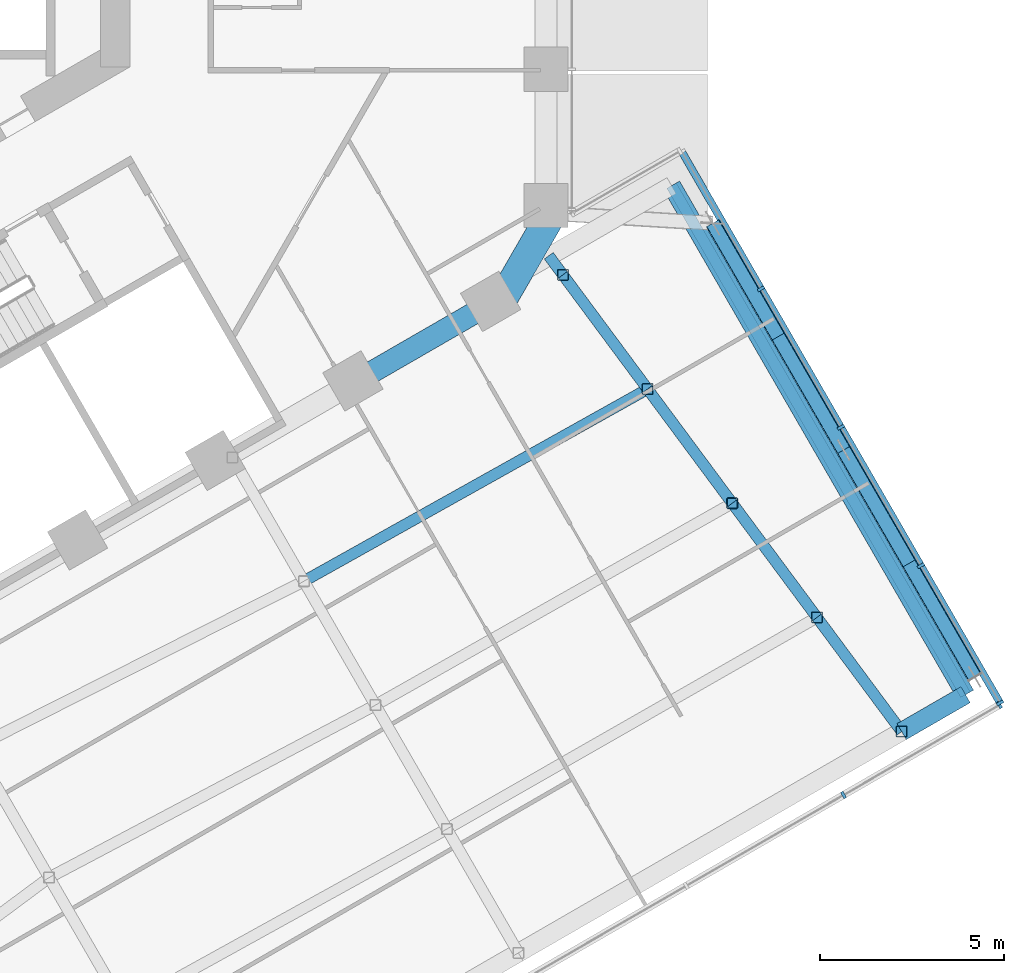
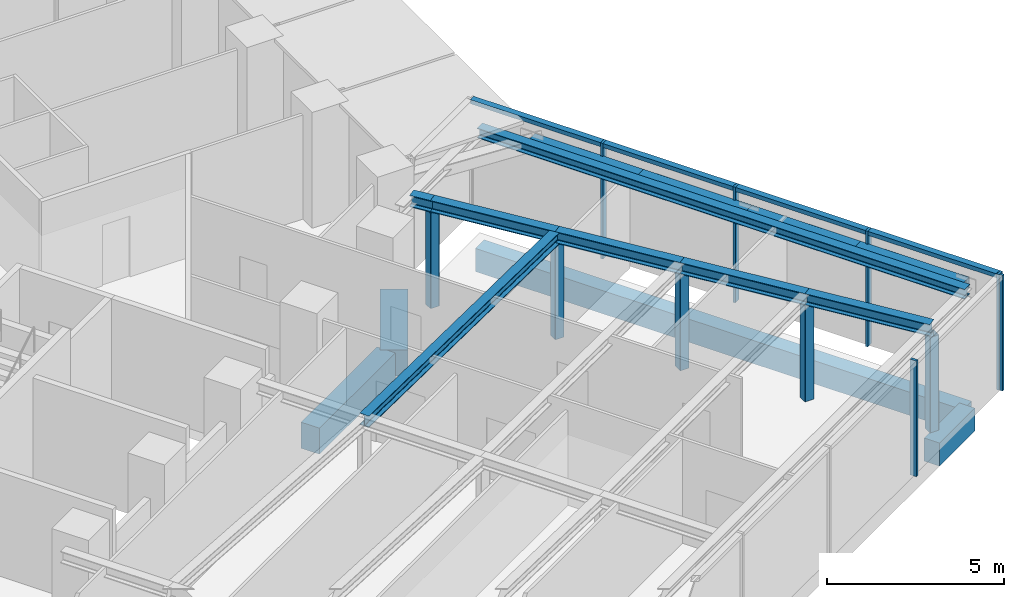
# One storey, part 5 of 28: 16 members, 11 beams, 2 elements without a shape of their own.
"""IFC4 building model written with IfcOpenShell, lengths in metres."""

from ifc_helpers import new_model, si_unit, direction, frame, origin, origin_2d, place, context, subcontext, project, spatial, rectangle, hollow_rectangle, i_section, extrude, material, layer, layer_set, material_profile, profile_set, type_object, element, aggregate, save


model = new_model("IFC4")

# Units and contexts
model_context = context("Model", 3, precision=1e-05, world=origin(), true_north=direction((0.0, 1.0)))
body_context = subcontext(model_context, "Body", "Model", "MODEL_VIEW")
ifc_project = project(units=[si_unit("LENGTHUNIT", "METRE"), si_unit("AREAUNIT", "SQUARE_METRE"), si_unit("VOLUMEUNIT", "CUBIC_METRE"), si_unit("PLANEANGLEUNIT", "RADIAN"), si_unit("MASSUNIT", "GRAM", prefix="KILO")], contexts=[model_context])

# Site, building, storey
site_placement = place(None, origin())
site = spatial("IfcSite", under=ifc_project, at=site_placement, CompositionType="ELEMENT")
building_placement = place(site_placement, origin())
building = spatial("IfcBuilding", under=site, at=building_placement, Name="Ayvan Gate Tower", CompositionType="ELEMENT")
storey_placement = place(building_placement, frame((0.0, 0.0, 74.300048828125)))
storey = spatial("IfcBuildingStorey", under=building, at=storey_placement, Name="L19", CompositionType="ELEMENT", Elevation=74.300048828125)

# Beams
ifc_material_1 = material(Name="Concrete C40/50", Category="concrete")
ifc_material_profile_1 = material_profile(ifc_material_1, rectangle(XDim=0.800048828125, YDim=0.89990234375, at=origin_2d()), Name="RC 800x900")
ifc_profile_set_1 = profile_set([ifc_material_profile_1], Name="Concrete C40/50")
beam_type_1 = type_object("IfcBeamType", Name="Corner spandrel beam RC 800x900 C40/50", PredefinedType="BEAM", material=ifc_profile_set_1)
beam_1_placement = place(storey_placement, frame((19.47509765625, -12.009521484375, -0.85009765625), z_axis=(0.50002537861, 0.866010750942, 0.0), x_axis=(-0.866010750942, 0.50002537861, 0.0)))
element("IfcBeam", 1, at=beam_1_placement, inside=storey, type_object=beam_type_1, Name="SB-L19-36", PredefinedType="BEAM", context=body_context, shape_type="SweptSolid", body=[
    extrude(rectangle(XDim=0.800048828125, YDim=0.89990234375, at=origin_2d()), origin(), (0.0, 0.0, 1.0), 2.999755859375),
])
ifc_material_profile_2 = material_profile(ifc_material_1, rectangle(XDim=0.5, YDim=0.800048828125, at=origin_2d()), Name="RC 500x800")
ifc_profile_set_2 = profile_set([ifc_material_profile_2], Name="Concrete C40/50")
beam_type_2 = type_object("IfcBeamType", Name="Sky bar edge beam RC 500x800 C40/50", PredefinedType="BEAM", material=ifc_profile_set_2)
beam_2_placement = place(storey_placement, frame((24.1923828125, -8.70263671875, -0.800048828125), z_axis=(0.500011928899, -0.866018516522, 0.0), x_axis=(0.866018516522, 0.500011928899, 0.0)))
element("IfcBeam", 2, at=beam_2_placement, inside=storey, type_object=beam_type_2, Name="EB-B1-L19-2", PredefinedType="BEAM", context=body_context, shape_type="SweptSolid", body=[
    extrude(rectangle(XDim=0.5, YDim=0.800048828125, at=origin_2d()), origin(), (0.0, 0.0, 1.0), 15.939453125),
])
beam_3_placement = place(storey_placement, frame((32.162353515625, -22.506591796875, -0.800048828125), z_axis=(-0.866041268327, -0.499972520799, 0.0), x_axis=(0.499972520799, -0.866041268327, 0.0)))
element("IfcBeam", 3, at=beam_3_placement, inside=storey, type_object=beam_type_2, Name="EB-B1-L19-3", PredefinedType="BEAM", context=body_context, shape_type="SweptSolid", body=[
    extrude(rectangle(XDim=0.5, YDim=0.800048828125, at=origin_2d()), origin(), (0.0, 0.0, 1.0), 2.0),
])
ifc_material_2 = material(Name="Steel S460ML", Category="steel")
ifc_material_profile_3 = material_profile(ifc_material_2, i_section(OverallWidth=0.300048828125, OverallDepth=0.39990234375, WebThickness=0.013427734375, FlangeThickness=0.02392578125, FilletRadius=0.027099609375, at=origin_2d()), Name="HE 400 B")
ifc_profile_set_3 = profile_set([ifc_material_profile_3], Name="Steel S460ML")
beam_type_3 = type_object("IfcBeamType", Name="Sky bar roof beam B1 HE 400 B", PredefinedType="BEAM", material=ifc_profile_set_3)
beam_4_placement = place(storey_placement, frame((20.860107421875, -10.603271484375, 3.5), z_axis=(0.59562617506, -0.803261762804, 0.0), x_axis=(0.803261762804, 0.59562617506, 0.0)))
element("IfcBeam", 4, at=beam_4_placement, inside=storey, type_object=beam_type_3, Name="RB-B1-SBT1-4-1", PredefinedType="BEAM", context=body_context, shape_type="SweptSolid", body=[
    extrude(i_section(OverallWidth=0.300048828125, OverallDepth=0.39990234375, WebThickness=0.013427734375, FlangeThickness=0.02392578125, FilletRadius=0.027099609375, at=origin_2d()), origin(), (0.0, 0.0, 1.0), 0.644287109375),
])
beam_5_placement = place(storey_placement, frame((21.243896484375, -11.120849609375, 3.5), z_axis=(0.595725701806, -0.803187953226, 0.0), x_axis=(0.803187953226, 0.595725701806, 0.0)))
element("IfcBeam", 5, at=beam_5_placement, inside=storey, type_object=beam_type_3, Name="RB-B1-SBT1-4-2", PredefinedType="BEAM", context=body_context, shape_type="SweptSolid", body=[
    extrude(i_section(OverallWidth=0.300048828125, OverallDepth=0.39990234375, WebThickness=0.013427734375, FlangeThickness=0.02392578125, FilletRadius=0.027099609375, at=origin_2d()), origin(), (0.0, 0.0, 1.0), 3.855224609375),
])
beam_6_placement = place(storey_placement, frame((23.54052734375, -14.21728515625, 3.5), z_axis=(0.595684845966, -0.803218254453, 0.0), x_axis=(0.803218254453, 0.595684845966, 0.0)))
element("IfcBeam", 6, at=beam_6_placement, inside=storey, type_object=beam_type_3, Name="RB-B1-SBT1-4-3", PredefinedType="BEAM", context=body_context, shape_type="SweptSolid", body=[
    extrude(i_section(OverallWidth=0.300048828125, OverallDepth=0.39990234375, WebThickness=0.013427734375, FlangeThickness=0.02392578125, FilletRadius=0.027099609375, at=origin_2d()), origin(), (0.0, 0.0, 1.0), 3.85498046875),
])
for number, where, z_axis, x_axis, name in (
    (7, (25.8369140625, -17.313720703125, 3.5), (0.595725701806, -0.803187953226, 0.0), (0.803187953226, 0.595725701806, 0.0), "RB-B1-SBT1-4-4"),
    (8, (28.133544921875, -20.41015625, 3.5), (0.595725701806, -0.803187953226, 0.0), (0.803187953226, 0.595725701806, 0.0), "RB-B1-SBT1-4-5"),
):
    element("IfcBeam", number, at=place(storey_placement, frame(where, z_axis=z_axis, x_axis=x_axis)), inside=storey, type_object=beam_type_3, Name=name, PredefinedType="BEAM", context=body_context, shape_type="SweptSolid", body=[
        extrude(i_section(OverallWidth=0.300048828125, OverallDepth=0.39990234375, WebThickness=0.013427734375, FlangeThickness=0.02392578125, FilletRadius=0.027099609375, at=origin_2d()), origin(), (0.0, 0.0, 1.0), 3.855224609375),
    ])
beam_7_placement = place(storey_placement, frame((14.2197265625, -19.429443359375, 3.5), z_axis=(0.872804861547, 0.48806933284, 0.0), x_axis=(-0.48806933284, 0.872804861547, 0.0)))
element("IfcBeam", 9, at=beam_7_placement, inside=storey, type_object=beam_type_3, Name="RX-B1-34-4", PredefinedType="BEAM", context=body_context, shape_type="SweptSolid", body=[
    extrude(i_section(OverallWidth=0.300048828125, OverallDepth=0.39990234375, WebThickness=0.013427734375, FlangeThickness=0.02392578125, FilletRadius=0.027099609375, at=origin_2d()), origin(), (0.0, 0.0, 1.0), 10.67919921875),
])
ifc_material_profile_4 = material_profile(ifc_material_2, i_section(OverallWidth=0.300048828125, OverallDepth=0.340087890625, WebThickness=0.011962890625, FlangeThickness=0.021484375, FilletRadius=0.027099609375, at=origin_2d()), Name="HE 340 B")
ifc_profile_set_4 = profile_set([ifc_material_profile_4], Name="Steel S460ML")
beam_type_4 = type_object("IfcBeamType", Name="Sky bar roof edge beam B1 HE 340 B", PredefinedType="BEAM", material=ifc_profile_set_4)
beam_8_placement = place(storey_placement, frame((24.1923828125, -8.702392578125, 3.530029296875), z_axis=(0.500005296564, -0.86602234579, 0.0), x_axis=(0.86602234579, 0.500005296564, 0.0)))
element("IfcBeam", 10, at=beam_8_placement, inside=storey, type_object=beam_type_4, Name="RE-B1-2-2", PredefinedType="BEAM", context=body_context, shape_type="SweptSolid", body=[
    extrude(i_section(OverallWidth=0.300048828125, OverallDepth=0.340087890625, WebThickness=0.011962890625, FlangeThickness=0.021484375, FilletRadius=0.027099609375, at=origin_2d()), origin(), (0.0, 0.0, 1.0), 15.939697265625),
])

# Members
ifc_material_3 = material(Name="Steel S460NH", Category="steel")
ifc_material_profile_5 = material_profile(ifc_material_3, hollow_rectangle(XDim=0.300048828125, YDim=0.300048828125, WallThickness=0.01611328125, InnerFilletRadius=0.01611328125, OuterFilletRadius=0.02392578125, at=origin_2d()), Name="RHS 300x300x16")
ifc_profile_set_5 = profile_set([ifc_material_profile_5], Name="Steel S460NH")
member_type_1 = type_object("IfcMemberType", Name="Sky bar roof post B1 RHS 300x300x16", PredefinedType="POST", material=ifc_profile_set_5)
for number, where, z_axis, x_axis, name in (
    (11, (21.243896484375, -11.120849609375, 0.0), (0.0, 0.0, 1.0), (1.0, 0.0, 0.0), "RP-B1-SBT1-4-1"),
    (12, (23.54052734375, -14.21728515625, 0.0), (0.0, 0.0, 1.0), (1.0, 0.0, 0.0), "RP-B1-SBT1-4-2"),
    (13, (25.8369140625, -17.313720703125, 0.0), (0.0, 0.0, 1.0), (1.0, 0.0, 0.0), "RP-B1-SBT1-4-3"),
    (14, (28.133544921875, -20.41015625, 0.0), (0.0, 0.0, 1.0), (1.0, 0.0, 0.0), "RP-B1-SBT1-4-4"),
    (15, (30.43017578125, -23.506591796875, 0.0), (0.0, 0.0, 1.0), (1.0, 0.0, 0.0), "RP-B1-SBT1-4-5"),
):
    element("IfcMember", number, at=place(storey_placement, frame(where, z_axis=z_axis, x_axis=x_axis)), inside=storey, type_object=member_type_1, Name=name, PredefinedType="POST", context=body_context, shape_type="SweptSolid", body=[
        extrude(hollow_rectangle(XDim=0.300048828125, YDim=0.300048828125, WallThickness=0.01611328125, InnerFilletRadius=0.01611328125, OuterFilletRadius=0.02392578125, at=origin_2d()), origin(), (0.0, 0.0, 1.0), 3.300048828125),
    ])
ifc_material_profile_6 = material_profile(ifc_material_3, hollow_rectangle(XDim=0.39990234375, YDim=0.39990234375, WallThickness=0.02001953125, InnerFilletRadius=0.02001953125, OuterFilletRadius=0.030029296875, at=origin_2d()), Name="RHS 400x400x20")
ifc_profile_set_6 = profile_set([ifc_material_profile_6], Name="Steel S460NH")
member_type_2 = type_object("IfcMemberType", Name="Sky bar truss brace B1 RHS 400x400x20", PredefinedType="BRACE", material=ifc_profile_set_6)
for number, where, z_axis, x_axis, name in (
    (16, (25.306396484375, -9.7216796875, 3.349853515625), (0.499970499736, -0.8660424351, 0.0), (0.8660424351, 0.499970499736, 0.0), "SBX1-A-TC-2"),
    (17, (27.081298828125, -12.796142578125, 3.349853515625), (0.499970499736, -0.8660424351, 0.0), (0.8660424351, 0.499970499736, 0.0), "SBX1-A-TC-3"),
):
    element("IfcMember", number, at=place(storey_placement, frame(where, z_axis=z_axis, x_axis=x_axis)), inside=storey, type_object=member_type_2, Name=name, PredefinedType="CHORD", context=body_context, shape_type="SweptSolid", body=[
        extrude(hollow_rectangle(XDim=0.39990234375, YDim=0.39990234375, WallThickness=0.02001953125, InnerFilletRadius=0.02001953125, OuterFilletRadius=0.030029296875, at=origin_2d()), origin(), (0.0, 0.0, 1.0), 3.550048828125),
    ])
member_1_placement = place(storey_placement, frame((28.856201171875, -15.87060546875, 3.349853515625), z_axis=(0.500051858269, -0.865995461329, 0.0), x_axis=(0.865995461329, 0.500051858269, 0.0)))
element("IfcMember", 18, at=member_1_placement, inside=storey, type_object=member_type_2, Name="SBX1-A-TC-4", PredefinedType="CHORD", context=body_context, shape_type="SweptSolid", body=[
    extrude(hollow_rectangle(XDim=0.39990234375, YDim=0.39990234375, WallThickness=0.02001953125, InnerFilletRadius=0.02001953125, OuterFilletRadius=0.030029296875, at=origin_2d()), origin(), (0.0, 0.0, 1.0), 3.5498046875),
])
member_2_placement = place(storey_placement, frame((30.63134765625, -18.94482421875, 3.349853515625), z_axis=(0.499970499736, -0.8660424351, 0.0), x_axis=(0.8660424351, 0.499970499736, 0.0)))
element("IfcMember", 19, at=member_2_placement, inside=storey, type_object=member_type_2, Name="SBX1-A-TC-5", PredefinedType="CHORD", context=body_context, shape_type="SweptSolid", body=[
    extrude(hollow_rectangle(XDim=0.39990234375, YDim=0.39990234375, WallThickness=0.02001953125, InnerFilletRadius=0.02001953125, OuterFilletRadius=0.030029296875, at=origin_2d()), origin(), (0.0, 0.0, 1.0), 3.550048828125),
])

# Beam
ifc_material_profile_7 = material_profile(ifc_material_1, rectangle(XDim=0.60009765625, YDim=0.89990234375, at=origin_2d()), Name="RC 600x900")
ifc_profile_set_7 = profile_set([ifc_material_profile_7], Name="Concrete C40/50")
beam_type_5 = type_object("IfcBeamType", Name="Spandrel beam RC 600x900 C40/50", PredefinedType="BEAM", material=ifc_profile_set_7)
beam_9_placement = place(storey_placement, frame((15.560302734375, -14.0498046875, -0.85009765625), z_axis=(0.866037162714, 0.499979632384, 0.0), x_axis=(-0.499979632384, 0.866037162714, 0.0)))
element("IfcBeam", 20, at=beam_9_placement, inside=storey, type_object=beam_type_5, Name="SB-L19-35", PredefinedType="BEAM", context=body_context, shape_type="SweptSolid", body=[
    extrude(rectangle(XDim=0.60009765625, YDim=0.89990234375, at=origin_2d()), origin(), (0.0, 0.0, 1.0), 4.300537109375),
])

# Curtain wall, members
ifc_material_4 = material(Name="Bronze anodised aluminium", Category="aluminium")
ifc_layer = layer(ifc_material_4, 0.199951171875)
ifc_layer_set = layer_set([ifc_layer], Name="Bronze anodised aluminium")
curtain_wall_type = type_object("IfcCurtainWallType", Name="Stick curtain wall CW-4", PredefinedType="NOTDEFINED", material=ifc_layer_set)
curtain_wall_1_placement = place(storey_placement, origin())
curtain_wall_1 = element("IfcCurtainWall", 21, at=curtain_wall_1_placement, inside=storey, type_object=curtain_wall_type, Name="Stick curtain wall CW-4 L19", PredefinedType="NOTDEFINED")
ifc_material_profile_8 = material_profile(ifc_material_4, rectangle(XDim=0.199951171875, YDim=0.080078125, at=origin_2d()), Name="Stick curtain wall CW-4 mullion 200 x 80")
ifc_profile_set_8 = profile_set([ifc_material_profile_8], Name="Bronze anodised aluminium")
member_type_3 = type_object("IfcMemberType", Name="Stick curtain wall CW-4 mullion 200 x 80", PredefinedType="MULLION", material=ifc_profile_set_8)
member_3_placement = place(storey_placement, frame((28.853271484375, -25.225341796875, 0.0), z_axis=(0.0, 0.0, 1.0), x_axis=(0.5, -0.866025403784, 0.0)))
member_3 = element("IfcMember", 22, at=member_3_placement, type_object=member_type_3, Name="CW-4 mullion 8", PredefinedType="MULLION", context=body_context, shape_type="SweptSolid", body=[
    extrude(rectangle(XDim=0.199951171875, YDim=0.080078125, at=origin_2d()), origin(), (0.0, 0.0, 1.0), 4.0),
])
member_4_placement = place(storey_placement, frame((33.083740234375, -22.782958984375, 0.0), z_axis=(0.0, 0.0, 1.0), x_axis=(0.5, -0.866025403784, 0.0)))
member_4 = element("IfcMember", 23, at=member_4_placement, type_object=member_type_3, Name="CW-4 mullion 9", PredefinedType="MULLION", context=body_context, shape_type="SweptSolid", body=[
    extrude(rectangle(XDim=0.199951171875, YDim=0.080078125, at=origin_2d()), origin(), (0.0, 0.0, 1.0), 4.0),
])
aggregate(curtain_wall_1, [member_3, member_4])

curtain_wall_2_placement = place(storey_placement, origin())
curtain_wall_2 = element("IfcCurtainWall", 24, at=curtain_wall_2_placement, inside=storey, type_object=curtain_wall_type, Name="Stick curtain wall CW-4 L19", PredefinedType="NOTDEFINED")
member_5_placement = place(storey_placement, frame((33.098388671875, -22.728271484375, 0.0), z_axis=(0.0, 0.0, 1.0), x_axis=(0.866025403784, 0.5, 0.0)))
member_5 = element("IfcMember", 25, at=member_5_placement, type_object=member_type_3, Name="CW-4 mullion 1", PredefinedType="MULLION", context=body_context, shape_type="SweptSolid", body=[
    extrude(rectangle(XDim=0.199951171875, YDim=0.080078125, at=origin_2d()), origin(), (0.0, 0.0, 1.0), 4.0),
])
member_6_placement = place(storey_placement, frame((30.950927734375, -19.0087890625, 0.0), z_axis=(0.0, 0.0, 1.0), x_axis=(0.866025403784, 0.5, 0.0)))
member_6 = element("IfcMember", 26, at=member_6_placement, type_object=member_type_3, Name="CW-4 mullion 2", PredefinedType="MULLION", context=body_context, shape_type="SweptSolid", body=[
    extrude(rectangle(XDim=0.199951171875, YDim=0.080078125, at=origin_2d()), origin(), (0.0, 0.0, 1.0), 4.0),
])
member_7_placement = place(storey_placement, frame((28.783447265625, -15.254638671875, 0.0), z_axis=(0.0, 0.0, 1.0), x_axis=(0.866025403784, 0.5, 0.0)))
member_7 = element("IfcMember", 27, at=member_7_placement, type_object=member_type_3, Name="CW-4 mullion 3", PredefinedType="MULLION", context=body_context, shape_type="SweptSolid", body=[
    extrude(rectangle(XDim=0.199951171875, YDim=0.080078125, at=origin_2d()), origin(), (0.0, 0.0, 1.0), 4.0),
])
member_8_placement = place(storey_placement, frame((26.6162109375, -11.50048828125, 0.0), z_axis=(0.0, 0.0, 1.0), x_axis=(0.866025403784, 0.5, 0.0)))
member_8 = element("IfcMember", 28, at=member_8_placement, type_object=member_type_3, Name="CW-4 mullion 4", PredefinedType="MULLION", context=body_context, shape_type="SweptSolid", body=[
    extrude(rectangle(XDim=0.199951171875, YDim=0.080078125, at=origin_2d()), origin(), (0.0, 0.0, 1.0), 4.0),
])
ifc_material_profile_9 = material_profile(ifc_material_4, rectangle(XDim=0.199951171875, YDim=0.139892578125, at=origin_2d()), Name="Stick curtain wall CW-4 transom 200 x 140")
ifc_profile_set_9 = profile_set([ifc_material_profile_9], Name="Bronze anodised aluminium")
member_type_4 = type_object("IfcMemberType", Name="Stick curtain wall CW-4 transom 200 x 140", PredefinedType="USERDEFINED", material=ifc_profile_set_9)
member_9_placement = place(storey_placement, frame((33.098388671875, -22.728271484375, 3.929931640625), z_axis=(-0.499992649245, 0.866029647703, 0.0), x_axis=(-0.866029647703, -0.499992649245, 0.0)))
member_9 = element("IfcMember", 29, at=member_9_placement, type_object=member_type_4, Name="CW-4 transom 1", ObjectType="TRANSOM", PredefinedType="USERDEFINED", context=body_context, shape_type="SweptSolid", body=[
    extrude(rectangle(XDim=0.199951171875, YDim=0.139892578125, at=origin_2d()), origin(), (0.0, 0.0, 1.0), 17.259521484375),
])
aggregate(curtain_wall_2, [member_5, member_6, member_7, member_8, member_9])

save(model, "model.ifc")
